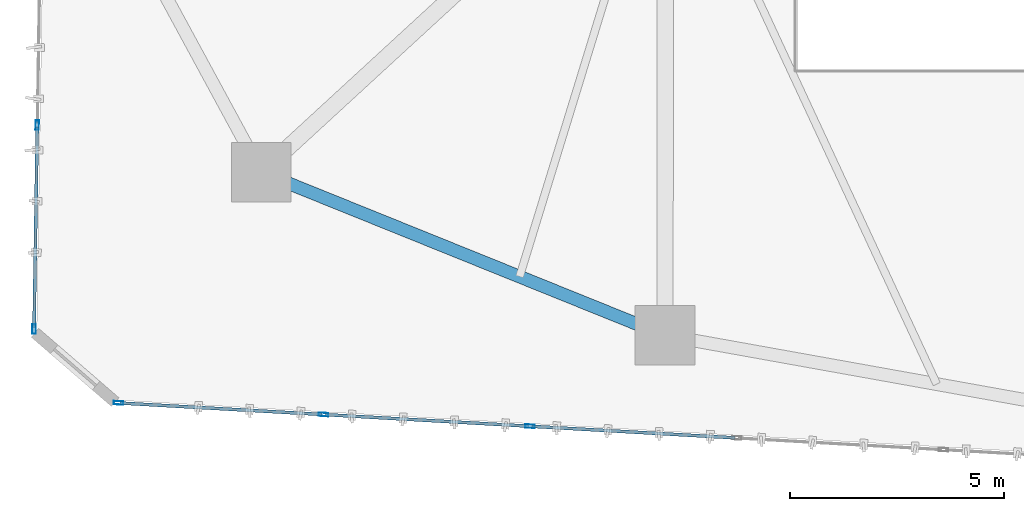
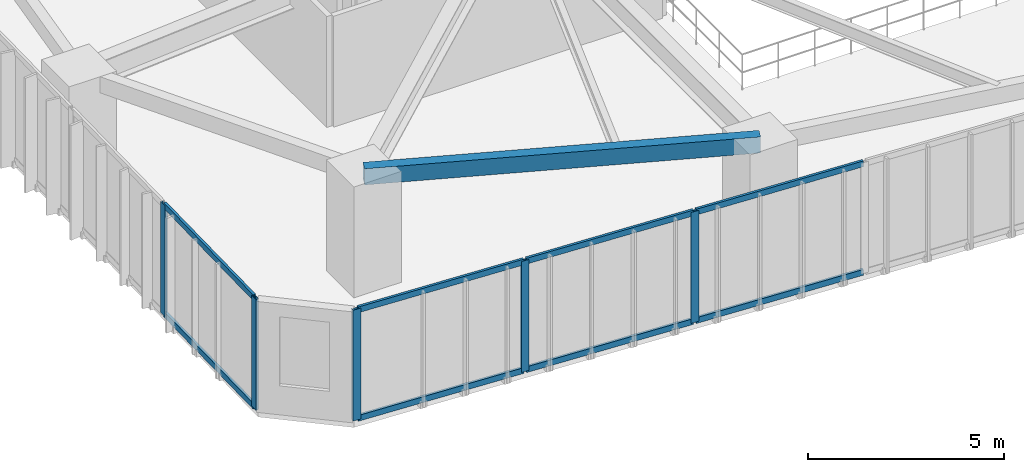
# One storey, part 2 of 24: 13 members, 1 beam, 2 elements without a shape of their own.
"""IFC4 building model written with IfcOpenShell, lengths in metres."""

import ifcopenshell
import ifcopenshell.guid

model = None  # the IFC model being written
_history = None  # IfcOwnerHistory: only IFC2X3 demands one
_inside = {}  # id of a spatial element -> (the spatial element, [elements in it])
_under = {}  # id of a project, library or spatial element -> (it, [spatial elements below it])
_declared = {}  # id of a project -> (the project, [libraries it declares])
_typed = {}  # id of a type object -> (the type object, [elements of that type])
_made_of = {}  # id of a material, layer set ... -> (it, [elements and type objects made of it])


def new_model(schema):
    """Start an empty IFC model of exactly this schema.

    Asked for "IFC4X3", IfcOpenShell would pick the latest addendum, in which some entities
    have other attributes; the version numbers below select the first issue.
    IFC2X3 requires an IfcOwnerHistory on every rooted entity: one is made here for all.
    """
    global model, _history
    if schema == "IFC4X3":
        model = ifcopenshell.file(schema_version=(4, 3, 0, 0))
    else:
        model = ifcopenshell.file(schema=schema)
    _inside.clear()
    _under.clear()
    _declared.clear()
    _typed.clear()
    _made_of.clear()
    _history = None
    if model.schema == "IFC2X3":
        org = make("IfcOrganization", Name="unknown")
        user = make(
            "IfcPersonAndOrganization",
            ThePerson=make("IfcPerson", FamilyName="unknown"),
            TheOrganization=org,
        )
        app = make(
            "IfcApplication",
            ApplicationDeveloper=org,
            Version="unknown",
            ApplicationFullName="unknown",
            ApplicationIdentifier="unknown",
        )
        _history = make(
            "IfcOwnerHistory",
            OwningUser=user,
            OwningApplication=app,
            ChangeAction="ADDED",
            CreationDate=0,
        )
    return model


def make(cls, **values):
    """One entity of the class cls with the attributes given. An attribute that is None is left unset."""
    return model.create_entity(
        cls, **{name: value for name, value in values.items() if value is not None}
    )


def rooted(cls, **values):
    """An entity with a GlobalId (a new one), such as an element, a storey or a relation."""
    return make(cls, GlobalId=ifcopenshell.guid.new(), OwnerHistory=_history, **values)


def si_unit(unit_type, name, prefix=None):
    """IfcSIUnit, for example si_unit("LENGTHUNIT", "METRE", prefix="MILLI")."""
    return make("IfcSIUnit", UnitType=unit_type, Prefix=prefix, Name=name)


def assignment(units):
    """IfcUnitAssignment: the units of a project."""
    return None if units is None else make("IfcUnitAssignment", Units=units)


def point(xyz):
    """IfcCartesianPoint."""
    return None if xyz is None else make("IfcCartesianPoint", Coordinates=xyz)


def direction(xyz):
    """IfcDirection."""
    return None if xyz is None else make("IfcDirection", DirectionRatios=xyz)


def frame(location, z_axis=None, x_axis=None):
    """IfcAxis2Placement3D, a coordinate frame: its origin and axes. An axis left out is left unset."""
    return make(
        "IfcAxis2Placement3D",
        Location=point(location),
        Axis=direction(z_axis),
        RefDirection=direction(x_axis),
    )


def frame_2d(location, x_axis=None):
    """IfcAxis2Placement2D, a coordinate frame in the plane: its origin and x axis."""
    return make(
        "IfcAxis2Placement2D", Location=point(location), RefDirection=direction(x_axis)
    )


def origin():
    """The frame at (0, 0, 0) with its axes left unset."""
    return frame((0.0, 0.0, 0.0))


def origin_2d():
    """The frame at (0, 0) in the plane with its x axis left unset."""
    return frame_2d((0.0, 0.0))


def place(relative_to, where):
    """IfcLocalPlacement: puts the frame where relative to a parent placement (None: the world)."""
    return make(
        "IfcLocalPlacement", PlacementRelTo=relative_to, RelativePlacement=where
    )


def context(
    kind, dimensions, precision=None, world=None, true_north=None, identifier=None
):
    """IfcGeometricRepresentationContext, for example the 3D "Model" context."""
    return make(
        "IfcGeometricRepresentationContext",
        ContextIdentifier=identifier,
        ContextType=kind,
        CoordinateSpaceDimension=dimensions,
        Precision=precision,
        WorldCoordinateSystem=world,
        TrueNorth=true_north,
    )


def subcontext(parent, identifier, kind, view, scale=None):
    """IfcGeometricRepresentationSubContext, for example "Body" below "Model"."""
    return make(
        "IfcGeometricRepresentationSubContext",
        ContextIdentifier=identifier,
        ContextType=kind,
        ParentContext=parent,
        TargetScale=scale,
        TargetView=view,
    )


def project(units=None, contexts=None):
    """IfcProject with its units and contexts."""
    return rooted(
        "IfcProject",
        Name="project",
        RepresentationContexts=contexts,
        UnitsInContext=assignment(units),
    )


def spatial(cls, under=None, at=None, **own):
    """A site, building, storey or space (cls), placed at a placement, below another one or the project."""
    s = rooted(cls, ObjectPlacement=at, **own)
    if under is not None:
        _under.setdefault(under.id(), (under, []))[1].append(s)
    return s


def profile(cls, at=None, kind="AREA", **sizes):
    """A parametric profile (cls). Its sizes go by their IFC names, for example OverallWidth=200.0."""
    return make(cls, ProfileType=kind, Position=at, **sizes)


def hollow_rectangle(**sizes):
    """IfcRectangleHollowProfileDef."""
    return profile("IfcRectangleHollowProfileDef", **sizes)


def extrude(swept, where, along, depth):
    """IfcExtrudedAreaSolid: the profile swept, set in the frame where, extruded along a direction by depth."""
    return make(
        "IfcExtrudedAreaSolid",
        SweptArea=swept,
        Position=where,
        ExtrudedDirection=direction(along),
        Depth=depth,
    )


def shape(context_of_items, identifier, shape_type, items):
    """IfcShapeRepresentation: the items that make up one representation, for example the "Body"."""
    return make(
        "IfcShapeRepresentation",
        ContextOfItems=context_of_items,
        RepresentationIdentifier=identifier,
        RepresentationType=shape_type,
        Items=items,
    )


def source(mapping_origin, context_of_items, identifier, shape_type, items):
    """IfcRepresentationMap: a shape defined once, which mapped items show again and again."""
    return make(
        "IfcRepresentationMap",
        MappingOrigin=mapping_origin,
        MappedRepresentation=shape(context_of_items, identifier, shape_type, items),
    )


def transform(
    local_origin,
    x_axis=None,
    y_axis=None,
    z_axis=None,
    scale=None,
    scale2=None,
    scale3=None,
    uniform=True,
):
    """IfcCartesianTransformationOperator3D, or its non-uniform kind. x_axis, y_axis, z_axis: its Axis1, 2, 3."""
    if uniform:
        return make(
            "IfcCartesianTransformationOperator3D",
            Axis1=direction(x_axis),
            Axis2=direction(y_axis),
            LocalOrigin=point(local_origin),
            Scale=scale,
            Axis3=direction(z_axis),
        )
    return make(
        "IfcCartesianTransformationOperator3DnonUniform",
        Axis1=direction(x_axis),
        Axis2=direction(y_axis),
        LocalOrigin=point(local_origin),
        Scale=scale,
        Axis3=direction(z_axis),
        Scale2=scale2,
        Scale3=scale3,
    )


def mapped(mapping_source, mapping_target):
    """IfcMappedItem: shows the shape of a source again, moved by a transform."""
    return make(
        "IfcMappedItem", MappingSource=mapping_source, MappingTarget=mapping_target
    )


def material(Name=None, Category=None):
    """IfcMaterial."""
    return make("IfcMaterial", Name=Name, Category=Category)


def layer(
    of_material, thickness, ventilated=None, Name=None, Category=None, Priority=None
):
    """IfcMaterialLayer: one layer of a wall or slab, of a material (None: an air gap)."""
    return make(
        "IfcMaterialLayer",
        Material=of_material,
        LayerThickness=thickness,
        IsVentilated=ventilated,
        Name=Name,
        Category=Category,
        Priority=Priority,
    )


def layer_set(layers, Name=None):
    """IfcMaterialLayerSet."""
    return make("IfcMaterialLayerSet", MaterialLayers=layers, LayerSetName=Name)


def material_profile(
    of_material, cross_section, Name=None, Category=None, Priority=None
):
    """IfcMaterialProfile: a cross section and its material."""
    return make(
        "IfcMaterialProfile",
        Name=Name,
        Material=of_material,
        Profile=cross_section,
        Priority=Priority,
        Category=Category,
    )


def profile_set(profiles, Name=None, composite=None):
    """IfcMaterialProfileSet."""
    return make(
        "IfcMaterialProfileSet",
        Name=Name,
        MaterialProfiles=profiles,
        CompositeProfile=composite,
    )


def made_of(thing, what):
    """Note that an element or type object is made of a material, layer set ...; save() writes the relation."""
    if what is not None:
        _made_of.setdefault(what.id(), (what, []))[1].append(thing)
    return thing


def type_object(cls, material=None, **own):
    """A type object (cls), such as IfcWallType, which elements share."""
    return made_of(rooted(cls, **own), material)


def type_shapes(of_type, sources):
    """Give a type object the sources (RepresentationMaps) that its elements show as mapped items."""
    of_type.RepresentationMaps = sources


def element(
    cls,
    number,
    at=None,
    inside=None,
    cuts=None,
    type_object=None,
    material=None,
    context=None,
    identifier="Body",
    shape_type=None,
    held_by="IfcProductDefinitionShape",
    body=None,
    shapes=None,
    **own,
):
    """One element of the class cls, such as IfcWall. Its Tag is "e" and its number.

    at: its placement. inside: the storey or other place that contains it. cuts: it is an
    opening in that element (IfcRelVoidsElement). A single representation is given by context,
    identifier, shape_type and body (its items); several are given by shapes. held_by: the class
    of the entity that holds the representations. save() writes the other relations.
    """
    e = rooted(cls, Tag="e%d" % number, ObjectPlacement=at, **own)
    if body is not None:
        shapes = [shape(context, identifier, shape_type, body)]
    if shapes is not None:
        e.Representation = make(held_by, Representations=shapes)
    if inside is not None:
        _inside.setdefault(inside.id(), (inside, []))[1].append(e)
    if cuts is not None:
        rooted(
            "IfcRelVoidsElement", RelatingBuildingElement=cuts, RelatedOpeningElement=e
        )
    if type_object is not None:
        _typed.setdefault(type_object.id(), (type_object, []))[1].append(e)
    return made_of(e, material)


def aggregate(whole, parts):
    """IfcRelAggregates: a whole, such as a stair, and the parts it consists of."""
    return rooted("IfcRelAggregates", RelatingObject=whole, RelatedObjects=parts)


def save(model, path):
    """Write the relations noted so far, then the file.

    IfcRelAggregates (storeys below a building ...), IfcRelContainedInSpatialStructure (elements
    in a storey), IfcRelDefinesByType, IfcRelAssociatesMaterial and IfcRelDeclares: one each for
    every whole, place, type object, material and project.
    """
    for whole, parts in _under.values():
        aggregate(whole, parts)
    for where, things in _inside.values():
        rooted(
            "IfcRelContainedInSpatialStructure",
            RelatedElements=things,
            RelatingStructure=where,
        )
    for kind, things in _typed.values():
        rooted("IfcRelDefinesByType", RelatedObjects=things, RelatingType=kind)
    for what, things in _made_of.values():
        rooted("IfcRelAssociatesMaterial", RelatedObjects=things, RelatingMaterial=what)
    for by, libraries in _declared.values():
        rooted("IfcRelDeclares", RelatingContext=by, RelatedDefinitions=libraries)
    model.write(path)


model = new_model("IFC4")

# Units and contexts
model_context = context("Model", 3, precision=1e-05, world=origin(), true_north=direction((0.0, 1.0)))
body_context = subcontext(model_context, "Body", "Model", "MODEL_VIEW")
ifc_project = project(units=[si_unit("LENGTHUNIT", "METRE"), si_unit("AREAUNIT", "SQUARE_METRE"), si_unit("VOLUMEUNIT", "CUBIC_METRE"), si_unit("PLANEANGLEUNIT", "RADIAN"), si_unit("MASSUNIT", "GRAM", prefix="KILO")], contexts=[model_context])

# Site, building, storey
site_placement = place(None, origin())
site = spatial("IfcSite", under=ifc_project, at=site_placement, CompositionType="ELEMENT")
building_placement = place(site_placement, origin())
building = spatial("IfcBuilding", under=site, at=building_placement, Name="Talar Marvaseh", CompositionType="ELEMENT")
storey_placement = place(building_placement, frame((0.0, 0.0, 81.0)))
storey = spatial("IfcBuildingStorey", under=building, at=storey_placement, Name="L20", CompositionType="ELEMENT", Elevation=81.0)

# Beam
ifc_material_1 = material(Name="Steel S355", Category="steel")
ifc_material_profile_1 = material_profile(ifc_material_1, hollow_rectangle(XDim=0.300048828125, YDim=0.5, WallThickness=0.02001953125, at=origin_2d()), Name="RHS500x300x20")
ifc_profile_set_1 = profile_set([ifc_material_profile_1], Name="Steel S355")
beam_type = type_object("IfcBeamType", Name="Zone 1 Perimeter Spandrel Beam RHS500x300x20", PredefinedType="SPANDREL", material=ifc_profile_set_1)
beam_placement = place(storey_placement, frame((18.68310546875, 12.97900390625, 3.199951171875), z_axis=(-0.927239278118, 0.374469386084, 0.0), x_axis=(-0.374469386084, -0.927239278118, 0.0)))
element("IfcBeam", 1, at=beam_placement, inside=storey, type_object=beam_type, Name="L20 Zone 1 Perimeter Spandrel Beam RHS500x300x20", PredefinedType="SPANDREL", context=body_context, shape_type="SweptSolid", body=[
    extrude(hollow_rectangle(XDim=0.300048828125, YDim=0.5, WallThickness=0.02001953125, at=origin_2d()), origin(), (0.0, 0.0, 1.0), 10.19287109375),
])

# Curtain wall, members
ifc_material_2 = material(Name="Architectural Aluminium", Category="aluminium")
ifc_layer = layer(ifc_material_2, 0.219970703125)
ifc_layer_set = layer_set([ifc_layer], Name="Architectural Aluminium")
curtain_wall_type = type_object("IfcCurtainWallType", Name="Unitised Low-E Museum Curtain Wall Z1", PredefinedType="NOTDEFINED", material=ifc_layer_set)
curtain_wall_1_placement = place(storey_placement, origin())
curtain_wall_1 = element("IfcCurtainWall", 2, at=curtain_wall_1_placement, inside=storey, type_object=curtain_wall_type, Name="L20 Unitised Low-E Museum Curtain Wall Z1", PredefinedType="NOTDEFINED")
ifc_material_profile_2 = material_profile(ifc_material_2, hollow_rectangle(XDim=0.074951171875, YDim=0.179931640625, WallThickness=0.0048828125, at=origin_2d()), Name="RHS180x75x5")
ifc_profile_set_2 = profile_set([ifc_material_profile_2], Name="Architectural Aluminium")
member_type_1 = type_object("IfcMemberType", Name="Unitised Curtain Wall Transom RHS180x75x5", PredefinedType="USERDEFINED", material=ifc_profile_set_2)
shared_shape_1 = source(origin(), body_context, "Body", "SweptSolid", [
    extrude(hollow_rectangle(XDim=0.074951171875, YDim=0.179931640625, WallThickness=0.0048828125, at=origin_2d()), origin(), (0.0, 0.0, 1.0), 4.725341796875),
])
member_1_placement = place(storey_placement, frame((10.649169921875, 11.127685546875, 0.03759765625), z_axis=(-0.998401295654, 0.056523029261, 0.0), x_axis=(-0.056523029261, -0.998401295654, 0.0)))
member_1 = element("IfcMember", 3, at=member_1_placement, type_object=member_type_1, Name="CW-Z1 transom 5.1", ObjectType="TRANSOM", PredefinedType="USERDEFINED", context=body_context, shape_type="MappedRepresentation", body=[
    mapped(shared_shape_1, transform((0.0, 0.0, 0.0), x_axis=(1.0, 0.0, 0.0), y_axis=(0.0, 1.0, 0.0), z_axis=(0.0, 0.0, 1.0), scale=1.0)),
])
member_2_placement = place(storey_placement, frame((10.649169921875, 11.127685546875, 3.41259765625), z_axis=(-0.998401295654, 0.056523029261, 0.0), x_axis=(-0.056523029261, -0.998401295654, 0.0)))
member_2 = element("IfcMember", 4, at=member_2_placement, type_object=member_type_1, Name="CW-Z1 transom 5.2", ObjectType="TRANSOM", PredefinedType="USERDEFINED", context=body_context, shape_type="MappedRepresentation", body=[
    mapped(shared_shape_1, transform((0.0, 0.0, 0.0), x_axis=(1.0, 0.0, 0.0), y_axis=(0.0, 1.0, 0.0), z_axis=(0.0, 0.0, 1.0), scale=1.0)),
])
shared_shape_2 = source(origin(), body_context, "Body", "SweptSolid", [
    extrude(hollow_rectangle(XDim=0.074951171875, YDim=0.179931640625, WallThickness=0.0048828125, at=origin_2d()), origin(), (0.0, 0.0, 1.0), 4.765380859375),
])
member_3_placement = place(storey_placement, frame((20.324462890625, 10.579833984375, 0.03759765625), z_axis=(-0.99839922673, 0.056559562105, 0.0), x_axis=(-0.056559562105, -0.99839922673, 0.0)))
member_3 = element("IfcMember", 5, at=member_3_placement, type_object=member_type_1, Name="CW-Z1 transom 3.1", ObjectType="TRANSOM", PredefinedType="USERDEFINED", context=body_context, shape_type="MappedRepresentation", body=[
    mapped(shared_shape_2, transform((0.0, 0.0, 0.0), x_axis=(1.0, 0.0, 0.0), y_axis=(0.0, 1.0, 0.0), z_axis=(0.0, 0.0, 1.0), scale=1.0)),
])
member_4_placement = place(storey_placement, frame((20.324462890625, 10.579833984375, 3.41259765625), z_axis=(-0.99839922673, 0.056559562105, 0.0), x_axis=(-0.056559562105, -0.99839922673, 0.0)))
member_4 = element("IfcMember", 6, at=member_4_placement, type_object=member_type_1, Name="CW-Z1 transom 3.2", ObjectType="TRANSOM", PredefinedType="USERDEFINED", context=body_context, shape_type="MappedRepresentation", body=[
    mapped(shared_shape_2, transform((0.0, 0.0, 0.0), x_axis=(1.0, 0.0, 0.0), y_axis=(0.0, 1.0, 0.0), z_axis=(0.0, 0.0, 1.0), scale=1.0)),
])
member_5_placement = place(storey_placement, frame((15.48681640625, 10.853759765625, 0.03759765625), z_axis=(-0.99839922673, 0.056559562105, 0.0), x_axis=(-0.056559562105, -0.99839922673, 0.0)))
member_5 = element("IfcMember", 7, at=member_5_placement, type_object=member_type_1, Name="CW-Z1 transom 4.1", ObjectType="TRANSOM", PredefinedType="USERDEFINED", context=body_context, shape_type="MappedRepresentation", body=[
    mapped(shared_shape_2, transform((0.0, 0.0, 0.0), x_axis=(1.0, 0.0, 0.0), y_axis=(0.0, 1.0, 0.0), z_axis=(0.0, 0.0, 1.0), scale=1.0)),
])
member_6_placement = place(storey_placement, frame((15.48681640625, 10.853759765625, 3.41259765625), z_axis=(-0.99839922673, 0.056559562105, 0.0), x_axis=(-0.056559562105, -0.99839922673, 0.0)))
member_6 = element("IfcMember", 8, at=member_6_placement, type_object=member_type_1, Name="CW-Z1 transom 4.2", ObjectType="TRANSOM", PredefinedType="USERDEFINED", context=body_context, shape_type="MappedRepresentation", body=[
    mapped(shared_shape_2, transform((0.0, 0.0, 0.0), x_axis=(1.0, 0.0, 0.0), y_axis=(0.0, 1.0, 0.0), z_axis=(0.0, 0.0, 1.0), scale=1.0)),
])

curtain_wall_2_placement = place(storey_placement, origin())
curtain_wall_2 = element("IfcCurtainWall", 9, at=curtain_wall_2_placement, inside=storey, type_object=curtain_wall_type, Name="L20 Unitised Low-E Museum Curtain Wall Z1", PredefinedType="NOTDEFINED")
shared_shape_3 = source(origin(), body_context, "Body", "SweptSolid", [
    extrude(hollow_rectangle(XDim=0.074951171875, YDim=0.179931640625, WallThickness=0.0048828125, at=origin_2d()), origin(), (0.0, 0.0, 1.0), 4.6962890625),
])
type_shapes(member_type_1, [shared_shape_1, shared_shape_2, shared_shape_3])
member_7_placement = place(storey_placement, frame((3.91650390625, 13.164306640625, 0.03759765625), z_axis=(0.015803370914, 0.999875118936, 0.0), x_axis=(-0.999875118936, 0.015803370914, 0.0)))
member_7 = element("IfcMember", 10, at=member_7_placement, type_object=member_type_1, Name="CW-Z1 transom 1.1", ObjectType="TRANSOM", PredefinedType="USERDEFINED", context=body_context, shape_type="MappedRepresentation", body=[
    mapped(shared_shape_3, transform((0.0, 0.0, 0.0), x_axis=(1.0, 0.0, 0.0), y_axis=(0.0, 1.0, 0.0), z_axis=(0.0, 0.0, 1.0), scale=1.0)),
])
member_8_placement = place(storey_placement, frame((3.91650390625, 13.164306640625, 3.41259765625), z_axis=(0.015803370914, 0.999875118936, 0.0), x_axis=(-0.999875118936, 0.015803370914, 0.0)))
member_8 = element("IfcMember", 11, at=member_8_placement, type_object=member_type_1, Name="CW-Z1 transom 1.2", ObjectType="TRANSOM", PredefinedType="USERDEFINED", context=body_context, shape_type="MappedRepresentation", body=[
    mapped(shared_shape_3, transform((0.0, 0.0, 0.0), x_axis=(1.0, 0.0, 0.0), y_axis=(0.0, 1.0, 0.0), z_axis=(0.0, 0.0, 1.0), scale=1.0)),
])
ifc_material_profile_3 = material_profile(ifc_material_2, hollow_rectangle(XDim=0.080078125, YDim=0.219970703125, WallThickness=0.0048828125, at=origin_2d()), Name="RHS220x80x5")
ifc_profile_set_3 = profile_set([ifc_material_profile_3], Name="Architectural Aluminium")
member_type_2 = type_object("IfcMemberType", Name="Unitised Curtain Wall Heavy Mullion RHS220x80x5", PredefinedType="MULLION", material=ifc_profile_set_3)
shared_shape_4 = source(origin(), body_context, "Body", "SweptSolid", [
    extrude(hollow_rectangle(XDim=0.080078125, YDim=0.219970703125, WallThickness=0.0048828125, at=origin_2d()), origin(), (0.0, 0.0, 1.0), 3.449951171875),
])
type_shapes(member_type_2, [shared_shape_4])
member_9_placement = place(storey_placement, frame((3.916015625, 13.124267578125, 0.0), z_axis=(0.0, 0.0, 1.0), x_axis=(-0.999875589392, 0.015773577229, 0.0)))
member_9 = element("IfcMember", 12, at=member_9_placement, type_object=member_type_2, Name="CW-Z1 mullion 1", PredefinedType="MULLION", context=body_context, shape_type="MappedRepresentation", body=[
    mapped(shared_shape_4, transform((0.0, 0.0, 0.0), x_axis=(1.0, 0.0, 0.0), y_axis=(0.0, 1.0, 0.0), z_axis=(0.0, 0.0, 1.0), scale=1.0)),
])
member_10_placement = place(storey_placement, frame((3.9912109375, 17.900146484375, 0.0), z_axis=(0.0, 0.0, 1.0), x_axis=(-0.999875589392, 0.015773577229, 0.0)))
member_10 = element("IfcMember", 13, at=member_10_placement, type_object=member_type_2, Name="CW-Z1 mullion 2", PredefinedType="MULLION", context=body_context, shape_type="MappedRepresentation", body=[
    mapped(shared_shape_4, transform((0.0, 0.0, 0.0), x_axis=(1.0, 0.0, 0.0), y_axis=(0.0, 1.0, 0.0), z_axis=(0.0, 0.0, 1.0), scale=1.0)),
])
aggregate(curtain_wall_2, [member_9, member_10, member_7, member_8])

# Member
member_11_placement = place(storey_placement, frame((15.52685546875, 10.8515625, 0.0), z_axis=(0.0, 0.0, 1.0), x_axis=(-0.056536912182, -0.998400509596, 0.0)))
member_11 = element("IfcMember", 14, at=member_11_placement, type_object=member_type_2, Name="CW-Z1 mullion 4", PredefinedType="MULLION", context=body_context, shape_type="MappedRepresentation", body=[
    mapped(shared_shape_4, transform((0.0, 0.0, 0.0), x_axis=(1.0, 0.0, 0.0), y_axis=(0.0, 1.0, 0.0), z_axis=(0.0, 0.0, 1.0), scale=1.0)),
])

member_12_placement = place(storey_placement, frame((10.689208984375, 11.12548828125, 0.0), z_axis=(0.0, 0.0, 1.0), x_axis=(-0.056536912182, -0.998400509596, 0.0)))
member_12 = element("IfcMember", 15, at=member_12_placement, type_object=member_type_2, Name="CW-Z1 mullion 5", PredefinedType="MULLION", context=body_context, shape_type="MappedRepresentation", body=[
    mapped(shared_shape_4, transform((0.0, 0.0, 0.0), x_axis=(1.0, 0.0, 0.0), y_axis=(0.0, 1.0, 0.0), z_axis=(0.0, 0.0, 1.0), scale=1.0)),
])

member_13_placement = place(storey_placement, frame((5.8916015625, 11.397216796875, 0.0), z_axis=(0.0, 0.0, 1.0), x_axis=(-0.056536912182, -0.998400509596, 0.0)))
member_13 = element("IfcMember", 16, at=member_13_placement, type_object=member_type_2, Name="CW-Z1 mullion 6", PredefinedType="MULLION", context=body_context, shape_type="MappedRepresentation", body=[
    mapped(shared_shape_4, transform((0.0, 0.0, 0.0), x_axis=(1.0, 0.0, 0.0), y_axis=(0.0, 1.0, 0.0), z_axis=(0.0, 0.0, 1.0), scale=1.0)),
])

aggregate(curtain_wall_1, [member_11, member_12, member_13, member_3, member_4, member_5, member_6, member_1, member_2])

save(model, "model.ifc")
